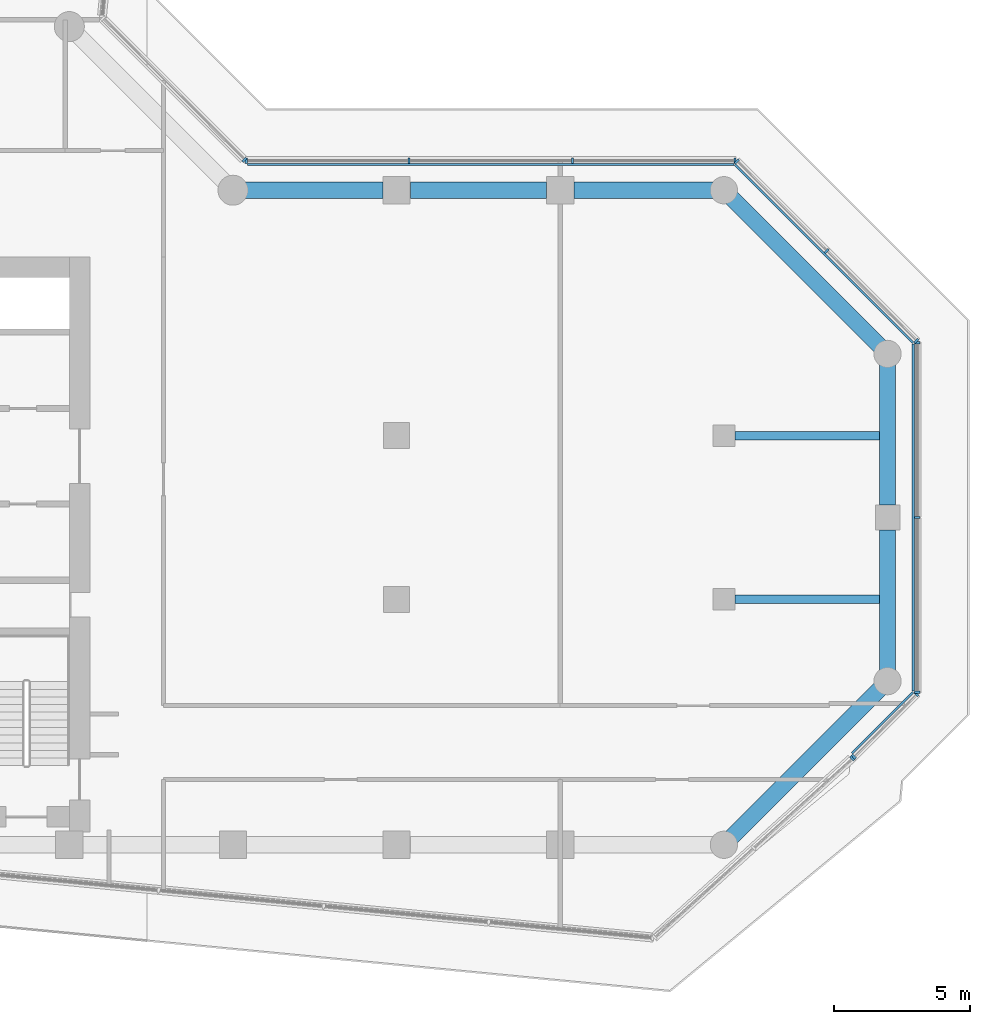
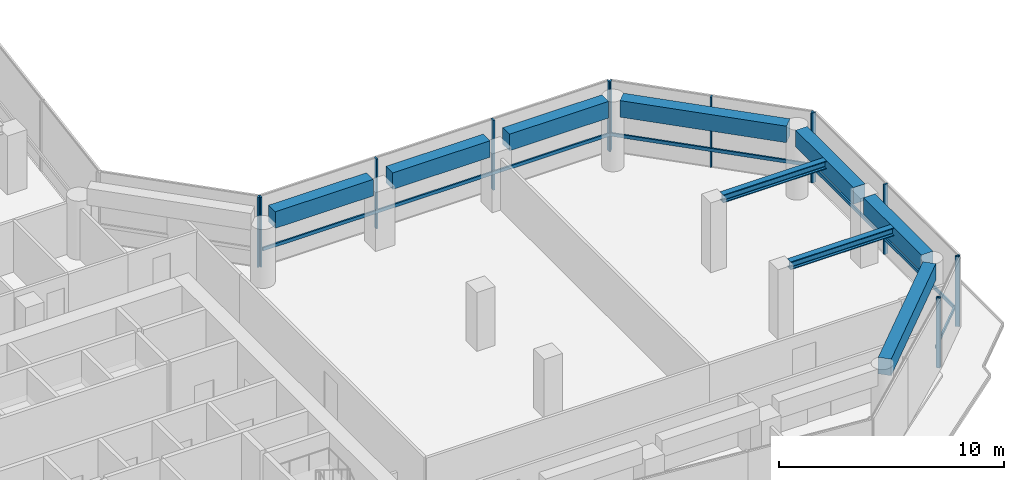
# One storey, part 4 of 12: 18 members, 9 beams, 6 elements without a shape of their own.
"""IFC4 building model written with IfcOpenShell, lengths in metres."""

from ifc_helpers import new_model, si_unit, direction, frame, origin, origin_2d, place, context, subcontext, project, spatial, rectangle, i_section, extrude, material, layer, layer_set, material_profile, profile_set, type_object, element, aggregate, save


model = new_model("IFC4")

# Units and contexts
model_context = context("Model", 3, precision=1e-05, world=origin(), true_north=direction((0.0, 1.0)))
body_context = subcontext(model_context, "Body", "Model", "MODEL_VIEW")
ifc_project = project(units=[si_unit("LENGTHUNIT", "METRE"), si_unit("AREAUNIT", "SQUARE_METRE"), si_unit("VOLUMEUNIT", "CUBIC_METRE"), si_unit("PLANEANGLEUNIT", "RADIAN"), si_unit("MASSUNIT", "GRAM", prefix="KILO")], contexts=[model_context])

# Site, building, storey
site_placement = place(None, origin())
site = spatial("IfcSite", under=ifc_project, at=site_placement, CompositionType="ELEMENT")
building_placement = place(site_placement, origin())
building = spatial("IfcBuilding", under=site, at=building_placement, Name="Welwitschia Terrace Campus", CompositionType="ELEMENT")
storey_placement = place(building_placement, frame((0.0, 0.0, 134.0)))
storey = spatial("IfcBuildingStorey", under=building, at=storey_placement, Name="L30", CompositionType="ELEMENT", Elevation=134.0)

# Beams
ifc_material_1 = material(Name="Steel S355", Category="steel")
ifc_material_profile_1 = material_profile(ifc_material_1, i_section(OverallWidth=0.306884765625, OverallDepth=0.431884765625, WebThickness=0.02099609375, FlangeThickness=0.0400390625, FilletRadius=0.027099609375, at=origin_2d()))
ifc_profile_set_1 = profile_set([ifc_material_profile_1], Name="Steel S355")
beam_type_1 = type_object("IfcBeamType", Name="Interior girder HE 400 M", PredefinedType="BEAM", material=ifc_profile_set_1)
for number, where, z_axis, x_axis, name in (
    (1, (48.400390625, 13.0, 3.583984375), (1.0, 0.0, 0.0), (0.0, 1.0, 0.0), "Girder GB3"),
    (2, (48.400390625, 19.0, 3.583984375), (1.0, 0.0, 0.0), (0.0, 1.0, 0.0), "Girder GB3"),
):
    element("IfcBeam", number, at=place(storey_placement, frame(where, z_axis=z_axis, x_axis=x_axis)), inside=storey, type_object=beam_type_1, Name=name, PredefinedType="BEAM", context=body_context, shape_type="SweptSolid", body=[
        extrude(i_section(OverallWidth=0.306884765625, OverallDepth=0.431884765625, WebThickness=0.02099609375, FlangeThickness=0.0400390625, FilletRadius=0.027099609375, at=origin_2d()), origin(), (0.0, 0.0, 1.0), 5.609619140625),
    ])

# Curtain wall, member
ifc_material_2 = material(Name="Bronze anodised aluminium", Category="aluminium")
ifc_layer = layer(ifc_material_2, 0.199951171875)
ifc_layer_set = layer_set([ifc_layer], Name="Bronze anodised aluminium")
curtain_wall_type = type_object("IfcCurtainWallType", Name="Curtain wall CW6 plant floor 6000", PredefinedType="NOTDEFINED", material=ifc_layer_set)
curtain_wall_1_placement = place(storey_placement, origin())
curtain_wall_1 = element("IfcCurtainWall", 3, at=curtain_wall_1_placement, inside=storey, type_object=curtain_wall_type, Name="CW L30.4.0", PredefinedType="NOTDEFINED")
ifc_material_3 = material(Name="Bronze anodised aluminium", Category="aluminium")
ifc_material_profile_2 = material_profile(ifc_material_3, rectangle(XDim=0.199951171875, YDim=0.080078125, at=origin_2d()))
ifc_profile_set_2 = profile_set([ifc_material_profile_2], Name="Bronze anodised aluminium")
member_type_1 = type_object("IfcMemberType", Name="Mullion 80x200", PredefinedType="MULLION", material=ifc_profile_set_2)
member_1_placement = place(storey_placement, frame((52.704345703125, 7.17138671875, 0.0), z_axis=(0.0, 0.0, 1.0), x_axis=(-0.671290721771, 0.741194149237, 0.0)))
member_1 = element("IfcMember", 4, at=member_1_placement, type_object=member_type_1, Name="Mullion L30.4.0.2", PredefinedType="MULLION", context=body_context, shape_type="SweptSolid", body=[
    extrude(rectangle(XDim=0.199951171875, YDim=0.080078125, at=origin_2d()), origin(), (0.0, 0.0, 1.0), 3.800048828125),
])
aggregate(curtain_wall_1, [member_1])

# Curtain wall, members
curtain_wall_2_placement = place(storey_placement, origin())
curtain_wall_2 = element("IfcCurtainWall", 5, at=curtain_wall_2_placement, inside=storey, type_object=curtain_wall_type, Name="CW L30.5.0", PredefinedType="NOTDEFINED")
member_2_placement = place(storey_placement, frame((52.762451171875, 7.2265625, 0.0), z_axis=(0.0, 0.0, 1.0), x_axis=(-0.707106781187, 0.707106781187, 0.0)))
member_2 = element("IfcMember", 6, at=member_2_placement, type_object=member_type_1, Name="Mullion L30.5.0.0", PredefinedType="MULLION", context=body_context, shape_type="SweptSolid", body=[
    extrude(rectangle(XDim=0.199951171875, YDim=0.080078125, at=origin_2d()), origin(), (0.0, 0.0, 1.0), 3.800048828125),
])
member_3_placement = place(storey_placement, frame((55.0576171875, 9.52197265625, 0.0), z_axis=(0.0, 0.0, 1.0), x_axis=(-0.707106781187, 0.707106781187, 0.0)))
member_3 = element("IfcMember", 7, at=member_3_placement, type_object=member_type_1, Name="Mullion L30.5.0.1", PredefinedType="MULLION", context=body_context, shape_type="SweptSolid", body=[
    extrude(rectangle(XDim=0.199951171875, YDim=0.080078125, at=origin_2d()), origin(), (0.0, 0.0, 1.0), 3.800048828125),
])

curtain_wall_3_placement = place(storey_placement, origin())
curtain_wall_3 = element("IfcCurtainWall", 8, at=curtain_wall_3_placement, inside=storey, type_object=curtain_wall_type, Name="CW L30.6.0", PredefinedType="NOTDEFINED")
member_4_placement = place(storey_placement, frame((55.0859375, 9.590087890625, 0.0), z_axis=(0.0, 0.0, 1.0), x_axis=(-1.0, 0.0, 0.0)))
member_4 = element("IfcMember", 9, at=member_4_placement, type_object=member_type_1, Name="Mullion L30.6.0.0", PredefinedType="MULLION", context=body_context, shape_type="SweptSolid", body=[
    extrude(rectangle(XDim=0.199951171875, YDim=0.080078125, at=origin_2d()), origin(), (0.0, 0.0, 1.0), 3.800048828125),
])
member_5_placement = place(storey_placement, frame((55.0859375, 16.0, 0.0), z_axis=(0.0, 0.0, 1.0), x_axis=(-1.0, 0.0, 0.0)))
member_5 = element("IfcMember", 10, at=member_5_placement, type_object=member_type_1, Name="Mullion L30.6.0.1", PredefinedType="MULLION", context=body_context, shape_type="SweptSolid", body=[
    extrude(rectangle(XDim=0.199951171875, YDim=0.080078125, at=origin_2d()), origin(), (0.0, 0.0, 1.0), 3.800048828125),
])
member_6_placement = place(storey_placement, frame((55.0859375, 22.409912109375, 0.0), z_axis=(0.0, 0.0, 1.0), x_axis=(-1.0, 0.0, 0.0)))
member_6 = element("IfcMember", 11, at=member_6_placement, type_object=member_type_1, Name="Mullion L30.6.0.2", PredefinedType="MULLION", context=body_context, shape_type="SweptSolid", body=[
    extrude(rectangle(XDim=0.199951171875, YDim=0.080078125, at=origin_2d()), origin(), (0.0, 0.0, 1.0), 3.800048828125),
])

curtain_wall_4_placement = place(storey_placement, origin())
curtain_wall_4 = element("IfcCurtainWall", 12, at=curtain_wall_4_placement, inside=storey, type_object=curtain_wall_type, Name="CW L30.7.0", PredefinedType="NOTDEFINED")
member_7_placement = place(storey_placement, frame((55.0576171875, 22.47802734375, 0.0), z_axis=(0.0, 0.0, 1.0), x_axis=(-0.707106781187, -0.707106781187, 0.0)))
member_7 = element("IfcMember", 13, at=member_7_placement, type_object=member_type_1, Name="Mullion L30.7.0.0", PredefinedType="MULLION", context=body_context, shape_type="SweptSolid", body=[
    extrude(rectangle(XDim=0.199951171875, YDim=0.080078125, at=origin_2d()), origin(), (0.0, 0.0, 1.0), 3.800048828125),
])
member_8_placement = place(storey_placement, frame((51.767822265625, 25.767822265625, 0.0), z_axis=(0.0, 0.0, 1.0), x_axis=(-0.707106781187, -0.707106781187, 0.0)))
member_8 = element("IfcMember", 14, at=member_8_placement, type_object=member_type_1, Name="Mullion L30.7.0.1", PredefinedType="MULLION", context=body_context, shape_type="SweptSolid", body=[
    extrude(rectangle(XDim=0.199951171875, YDim=0.080078125, at=origin_2d()), origin(), (0.0, 0.0, 1.0), 3.800048828125),
])
member_9_placement = place(storey_placement, frame((48.47802734375, 29.0576171875, 0.0), z_axis=(0.0, 0.0, 1.0), x_axis=(-0.707106781187, -0.707106781187, 0.0)))
member_9 = element("IfcMember", 15, at=member_9_placement, type_object=member_type_1, Name="Mullion L30.7.0.2", PredefinedType="MULLION", context=body_context, shape_type="SweptSolid", body=[
    extrude(rectangle(XDim=0.199951171875, YDim=0.080078125, at=origin_2d()), origin(), (0.0, 0.0, 1.0), 3.800048828125),
])

curtain_wall_5_placement = place(storey_placement, origin())
curtain_wall_5 = element("IfcCurtainWall", 16, at=curtain_wall_5_placement, inside=storey, type_object=curtain_wall_type, Name="CW L30.8.0", PredefinedType="NOTDEFINED")
member_10_placement = place(storey_placement, frame((48.409912109375, 29.0859375, 0.0), z_axis=(0.0, 0.0, 1.0), x_axis=(0.0, -1.0, 0.0)))
member_10 = element("IfcMember", 17, at=member_10_placement, type_object=member_type_1, Name="Mullion L30.8.0.0", PredefinedType="MULLION", context=body_context, shape_type="SweptSolid", body=[
    extrude(rectangle(XDim=0.199951171875, YDim=0.080078125, at=origin_2d()), origin(), (0.0, 0.0, 1.0), 3.800048828125),
])
member_11_placement = place(storey_placement, frame((42.449951171875, 29.0859375, 0.0), z_axis=(0.0, 0.0, 1.0), x_axis=(0.0, -1.0, 0.0)))
member_11 = element("IfcMember", 18, at=member_11_placement, type_object=member_type_1, Name="Mullion L30.8.0.1", PredefinedType="MULLION", context=body_context, shape_type="SweptSolid", body=[
    extrude(rectangle(XDim=0.199951171875, YDim=0.080078125, at=origin_2d()), origin(), (0.0, 0.0, 1.0), 3.800048828125),
])
member_12_placement = place(storey_placement, frame((36.449951171875, 29.0859375, 0.0), z_axis=(0.0, 0.0, 1.0), x_axis=(0.0, -1.0, 0.0)))
member_12 = element("IfcMember", 19, at=member_12_placement, type_object=member_type_1, Name="Mullion L30.8.0.2", PredefinedType="MULLION", context=body_context, shape_type="SweptSolid", body=[
    extrude(rectangle(XDim=0.199951171875, YDim=0.080078125, at=origin_2d()), origin(), (0.0, 0.0, 1.0), 3.800048828125),
])
member_13_placement = place(storey_placement, frame((30.48974609375, 29.0859375, 0.0), z_axis=(0.0, 0.0, 1.0), x_axis=(0.0, -1.0, 0.0)))
member_13 = element("IfcMember", 20, at=member_13_placement, type_object=member_type_1, Name="Mullion L30.8.0.3", PredefinedType="MULLION", context=body_context, shape_type="SweptSolid", body=[
    extrude(rectangle(XDim=0.199951171875, YDim=0.080078125, at=origin_2d()), origin(), (0.0, 0.0, 1.0), 3.800048828125),
])

# Curtain wall, member
curtain_wall_6_placement = place(storey_placement, origin())
curtain_wall_6 = element("IfcCurtainWall", 21, at=curtain_wall_6_placement, inside=storey, type_object=curtain_wall_type, Name="CW L30.9.0", PredefinedType="NOTDEFINED")
member_14_placement = place(storey_placement, frame((30.421630859375, 29.1142578125, 0.0), z_axis=(0.0, 0.0, 1.0), x_axis=(-0.707106781187, -0.707106781187, 0.0)))
member_14 = element("IfcMember", 22, at=member_14_placement, type_object=member_type_1, Name="Mullion L30.9.0.0", PredefinedType="MULLION", context=body_context, shape_type="SweptSolid", body=[
    extrude(rectangle(XDim=0.199951171875, YDim=0.080078125, at=origin_2d()), origin(), (0.0, 0.0, 1.0), 3.800048828125),
])
aggregate(curtain_wall_6, [member_14])

# Beams
ifc_material_4 = material(Name="Concrete C60/75", Category="concrete")
ifc_material_profile_3 = material_profile(ifc_material_4, rectangle(XDim=0.60009765625, YDim=0.89990234375, at=origin_2d()))
ifc_profile_set_3 = profile_set([ifc_material_profile_3], Name="Concrete C60/75")
beam_type_2 = type_object("IfcBeamType", Name="Ring spandrel 600x900", PredefinedType="SPANDREL", material=ifc_profile_set_3)
beam_1_placement = place(storey_placement, frame((48.283203125, 4.283203125, 3.35009765625), z_axis=(0.707106781187, 0.707106781187, 0.0), x_axis=(-0.707106781187, 0.707106781187, 0.0)))
element("IfcBeam", 23, at=beam_1_placement, inside=storey, type_object=beam_type_2, Name="Spandrel SP2", PredefinedType="SPANDREL", context=body_context, shape_type="SweptSolid", body=[
    extrude(rectangle(XDim=0.60009765625, YDim=0.89990234375, at=origin_2d()), origin(), (0.0, 0.0, 1.0), 7.684326171875),
])
for number, where, z_axis, x_axis, name in (
    (24, (54.0, 10.400390625, 3.35009765625), (0.0, 1.0, 0.0), (-1.0, 0.0, 0.0), "Spandrel SP2"),
    (25, (54.0, 16.450439453125, 3.35009765625), (0.0, 1.0, 0.0), (-1.0, 0.0, 0.0), "Spandrel SP2"),
):
    element("IfcBeam", number, at=place(storey_placement, frame(where, z_axis=z_axis, x_axis=x_axis)), inside=storey, type_object=beam_type_2, Name=name, PredefinedType="SPANDREL", context=body_context, shape_type="SweptSolid", body=[
        extrude(rectangle(XDim=0.60009765625, YDim=0.89990234375, at=origin_2d()), origin(), (0.0, 0.0, 1.0), 5.149169921875),
    ])
beam_2_placement = place(storey_placement, frame((53.716796875, 22.283203125, 3.35009765625), z_axis=(-0.707106781187, 0.707106781187, 0.0), x_axis=(-0.707106781187, -0.707106781187, 0.0)))
element("IfcBeam", 26, at=beam_2_placement, inside=storey, type_object=beam_type_2, Name="Spandrel SP2", PredefinedType="SPANDREL", context=body_context, shape_type="SweptSolid", body=[
    extrude(rectangle(XDim=0.60009765625, YDim=0.89990234375, at=origin_2d()), origin(), (0.0, 0.0, 1.0), 7.684326171875),
])
beam_3_placement = place(storey_placement, frame((47.599609375, 28.0, 3.35009765625), z_axis=(-1.0, 0.0, 0.0), x_axis=(0.0, -1.0, 0.0)))
element("IfcBeam", 27, at=beam_3_placement, inside=storey, type_object=beam_type_2, Name="Spandrel SP2", PredefinedType="SPANDREL", context=body_context, shape_type="SweptSolid", body=[
    extrude(rectangle(XDim=0.60009765625, YDim=0.89990234375, at=origin_2d()), origin(), (0.0, 0.0, 1.0), 5.09912109375),
])
beam_4_placement = place(storey_placement, frame((41.49951171875, 28.0, 3.35009765625), z_axis=(-1.0, 0.0, 0.0), x_axis=(0.0, -1.0, 0.0)))
element("IfcBeam", 28, at=beam_4_placement, inside=storey, type_object=beam_type_2, Name="Spandrel SP2", PredefinedType="SPANDREL", context=body_context, shape_type="SweptSolid", body=[
    extrude(rectangle(XDim=0.60009765625, YDim=0.89990234375, at=origin_2d()), origin(), (0.0, 0.0, 1.0), 4.9990234375),
])
beam_5_placement = place(storey_placement, frame((35.49951171875, 28.0, 3.35009765625), z_axis=(-1.0, 0.0, 0.0), x_axis=(0.0, -1.0, 0.0)))
element("IfcBeam", 29, at=beam_5_placement, inside=storey, type_object=beam_type_2, Name="Spandrel SP2", PredefinedType="SPANDREL", context=body_context, shape_type="SweptSolid", body=[
    extrude(rectangle(XDim=0.60009765625, YDim=0.89990234375, at=origin_2d()), origin(), (0.0, 0.0, 1.0), 5.0380859375),
])

# Member
ifc_material_5 = material(Name="Bronze anodised aluminium", Category="aluminium")
ifc_material_profile_4 = material_profile(ifc_material_5, rectangle(XDim=0.080078125, YDim=0.179931640625, at=origin_2d()))
ifc_profile_set_4 = profile_set([ifc_material_profile_4], Name="Bronze anodised aluminium")
member_type_2 = type_object("IfcMemberType", Name="Transom 80x180", PredefinedType="USERDEFINED", material=ifc_profile_set_4)
member_15_placement = place(storey_placement, frame((52.691650390625, 7.353759765625, 1.0), z_axis=(0.707106781187, 0.707106781187, 0.0), x_axis=(-0.707106781187, 0.707106781187, 0.0)))
member_15 = element("IfcMember", 30, at=member_15_placement, type_object=member_type_2, Name="Transom L30.5.0", ObjectType="TRANSOM", PredefinedType="USERDEFINED", context=body_context, shape_type="SweptSolid", body=[
    extrude(rectangle(XDim=0.080078125, YDim=0.179931640625, at=origin_2d()), origin(), (0.0, 0.0, 1.0), 3.166015625),
])

aggregate(curtain_wall_2, [member_2, member_3, member_15])

member_16_placement = place(storey_placement, frame((54.946044921875, 9.630126953125, 1.0), z_axis=(0.0, 1.0, 0.0), x_axis=(-1.0, 0.0, 0.0)))
member_16 = element("IfcMember", 31, at=member_16_placement, type_object=member_type_2, Name="Transom L30.6.0", ObjectType="TRANSOM", PredefinedType="USERDEFINED", context=body_context, shape_type="SweptSolid", body=[
    extrude(rectangle(XDim=0.080078125, YDim=0.179931640625, at=origin_2d()), origin(), (0.0, 0.0, 1.0), 12.73974609375),
])

aggregate(curtain_wall_3, [member_4, member_5, member_6, member_16])

member_17_placement = place(storey_placement, frame((54.930419921875, 22.407470703125, 1.0), z_axis=(-0.707106781187, 0.707106781187, 0.0), x_axis=(-0.707106781187, -0.707106781187, 0.0)))
member_17 = element("IfcMember", 32, at=member_17_placement, type_object=member_type_2, Name="Transom L30.7.0", ObjectType="TRANSOM", PredefinedType="USERDEFINED", context=body_context, shape_type="SweptSolid", body=[
    extrude(rectangle(XDim=0.080078125, YDim=0.179931640625, at=origin_2d()), origin(), (0.0, 0.0, 1.0), 9.224853515625),
])

aggregate(curtain_wall_4, [member_7, member_8, member_9, member_17])

member_18_placement = place(storey_placement, frame((48.369873046875, 28.946044921875, 1.0), z_axis=(-1.0, 0.0, 0.0), x_axis=(0.0, -1.0, 0.0)))
member_18 = element("IfcMember", 33, at=member_18_placement, type_object=member_type_2, Name="Transom L30.8.0", ObjectType="TRANSOM", PredefinedType="USERDEFINED", context=body_context, shape_type="SweptSolid", body=[
    extrude(rectangle(XDim=0.080078125, YDim=0.179931640625, at=origin_2d()), origin(), (0.0, 0.0, 1.0), 17.840087890625),
])

aggregate(curtain_wall_5, [member_10, member_11, member_12, member_13, member_18])

save(model, "model.ifc")
